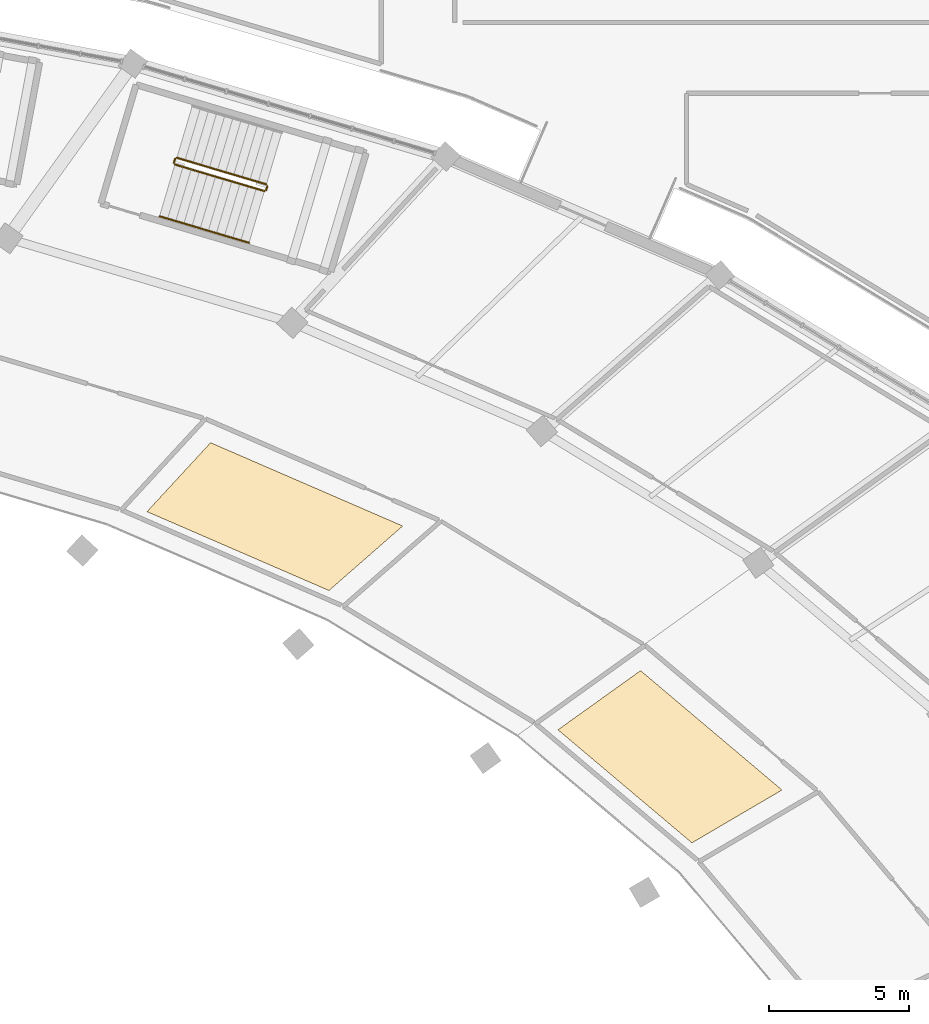
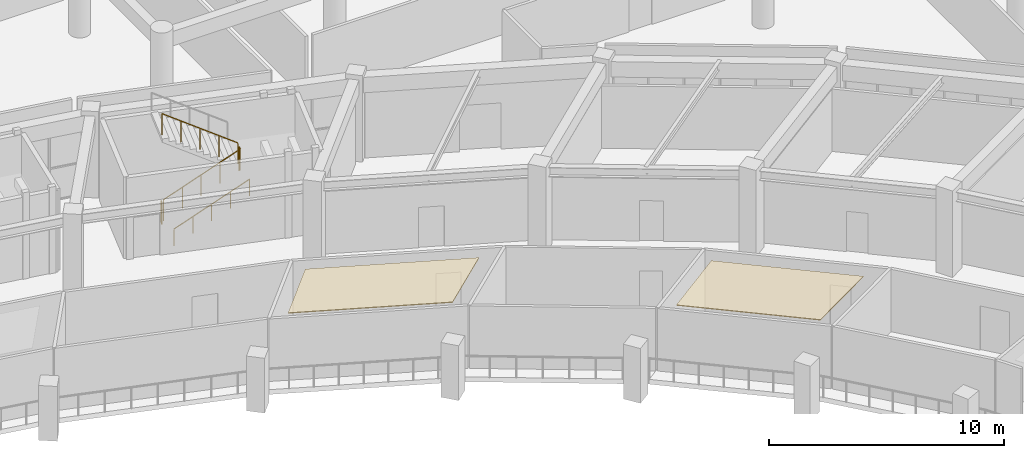
# One storey, part 139 of 141: 5 railings, 2 coverings.
"""IFC4 building model written with IfcOpenShell, lengths in metres."""

from ifc_helpers import new_model, si_unit, direction, frame, origin, origin_2d, place, context, subcontext, project, spatial, polyline, circle, outline, extrude, material, layer, layer_set, type_object, element, save


model = new_model("IFC4")

# Units and contexts
model_context = context("Model", 3, precision=1e-05, world=origin(), true_north=direction((0.0, 1.0)))
body_context = subcontext(model_context, "Body", "Model", "MODEL_VIEW")
ifc_project = project(units=[si_unit("LENGTHUNIT", "METRE"), si_unit("AREAUNIT", "SQUARE_METRE"), si_unit("VOLUMEUNIT", "CUBIC_METRE"), si_unit("PLANEANGLEUNIT", "RADIAN"), si_unit("MASSUNIT", "GRAM", prefix="KILO")], contexts=[model_context])

# Site, building, storey
site_placement = place(None, origin())
site = spatial("IfcSite", under=ifc_project, at=site_placement, CompositionType="ELEMENT")
building_placement = place(site_placement, origin())
building = spatial("IfcBuilding", under=site, at=building_placement, Name="Mphavela Belvedere Stadium", CompositionType="ELEMENT")
storey_placement = place(building_placement, frame((0.0, 0.0, 14.699951171875)))
storey = spatial("IfcBuildingStorey", under=building, at=storey_placement, Name="L03", CompositionType="ELEMENT", Elevation=14.699951171875)

# Coverings
ifc_material_1 = material(Name="Perforated acoustic mineral ceiling tile")
ifc_layer = layer(ifc_material_1, 0.0400390625)
ifc_layer_set = layer_set([ifc_layer], Name="Perforated acoustic mineral ceiling tile")
covering_type = type_object("IfcCoveringType", Name="COV-CEILING-ACOUSTIC", PredefinedType="CEILING", material=ifc_layer_set)
covering_1_placement = place(storey_placement, frame((0.0, 0.0, 3.199951171875)))
element("IfcCovering", 1, at=covering_1_placement, inside=storey, type_object=covering_type, Name="Concourse acoustic ceiling L03-06", PredefinedType="CEILING", context=body_context, shape_type="SweptSolid", body=[
    extrude(outline(polyline([(184.69921875, 128.660888671875), (179.931640625, 132.683837890625), (182.870849609375, 134.789794921875), (187.905029296875, 130.5419921875), (184.69921875, 128.660888671875)])), origin(), (0.0, 0.0, 1.0), 0.0400390625),
])
covering_2_placement = place(storey_placement, frame((0.0, 0.0, 3.199951171875)))
element("IfcCovering", 2, at=covering_2_placement, inside=storey, type_object=covering_type, Name="Concourse acoustic ceiling L03-08", PredefinedType="CEILING", context=body_context, shape_type="SweptSolid", body=[
    extrude(outline(polyline([(171.78125, 137.64111328125), (165.30419921875, 140.44921875), (167.56689453125, 142.9033203125), (174.406494140625, 139.938232421875), (171.78125, 137.64111328125)])), origin(), (0.0, 0.0, 1.0), 0.0400390625),
])

# Railings
ifc_material_2 = material(Name="Painted galvanised steel stair guardrail", Category="steel")
railing_type_1 = type_object("IfcRailingType", Name="RAL-GUARD-1120", PredefinedType="GUARDRAIL", material=ifc_material_2)
railing_1_placement = place(storey_placement, frame((166.296875, 152.803955078125, 0.1875)))
element("IfcRailing", 3, at=railing_1_placement, inside=storey, type_object=railing_type_1, Name="L03 ST-P01 stair guard 1", PredefinedType="GUARDRAIL", context=body_context, shape_type="SweptSolid", body=[
    extrude(circle(Radius=0.02392578125, at=origin_2d()), frame((0.0, 0.0, 1.09619140625), z_axis=(0.814477182491, -0.241689626173, 0.527459044667), x_axis=(0.284481150233, 0.958681633892, 0.0)), (0.0, 0.0, 1.0), 3.91015625),
    extrude(circle(Radius=0.02099609375, at=origin_2d()), origin(), (0.0, 0.0, 1.0), 1.072021484375),
    extrude(circle(Radius=0.02099609375, at=origin_2d()), frame((0.796142578125, -0.236328125, 0.515625)), (0.0, 0.0, 1.0), 1.072021484375),
    extrude(circle(Radius=0.02099609375, at=origin_2d()), frame((1.59228515625, -0.47265625, 1.03125)), (0.0, 0.0, 1.0), 1.072021484375),
    extrude(circle(Radius=0.02099609375, at=origin_2d()), frame((2.388671875, -0.708740234375, 1.546875)), (0.0, 0.0, 1.0), 1.072021484375),
    extrude(circle(Radius=0.02099609375, at=origin_2d()), frame((3.184814453125, -0.945068359375, 2.0625)), (0.0, 0.0, 1.0), 1.072021484375),
])
railing_2_placement = place(storey_placement, frame((169.543701171875, 151.892578125, 2.25)))
element("IfcRailing", 4, at=railing_2_placement, inside=storey, type_object=railing_type_1, Name="L03 ST-P01 stair guard 2", PredefinedType="GUARDRAIL", context=body_context, shape_type="SweptSolid", body=[
    extrude(circle(Radius=0.02392578125, at=origin_2d()), frame((0.0, 0.0, 1.09619140625), z_axis=(0.284808608521, 0.958584402394, 0.0), x_axis=(-0.958584402394, 0.284808608521, 0.0)), (0.0, 0.0, 1.0), 0.14990234375),
    extrude(circle(Radius=0.02099609375, at=origin_2d()), origin(), (0.0, 0.0, 1.0), 1.072021484375),
    extrude(circle(Radius=0.02099609375, at=origin_2d()), frame((0.042724609375, 0.143798828125, 0.0)), (0.0, 0.0, 1.0), 1.072021484375),
])
railing_3_placement = place(storey_placement, frame((169.552734375, 152.0986328125, 2.4375)))
element("IfcRailing", 5, at=railing_3_placement, inside=storey, type_object=railing_type_1, Name="L03 ST-P01 stair guard 3", PredefinedType="GUARDRAIL", context=body_context, shape_type="SweptSolid", body=[
    extrude(circle(Radius=0.02392578125, at=origin_2d()), frame((0.0, 0.0, 1.09619140625), z_axis=(-0.814456163261, 0.241701917202, 0.527485868386), x_axis=(-0.284501194376, -0.958675685724, 0.0)), (0.0, 0.0, 1.0), 3.91015625),
    extrude(circle(Radius=0.02099609375, at=origin_2d()), origin(), (0.0, 0.0, 1.0), 1.072021484375),
    extrude(circle(Radius=0.02099609375, at=origin_2d()), frame((-0.796142578125, 0.236328125, 0.515625)), (0.0, 0.0, 1.0), 1.072021484375),
    extrude(circle(Radius=0.02099609375, at=origin_2d()), frame((-1.59228515625, 0.47265625, 1.03125)), (0.0, 0.0, 1.0), 1.072021484375),
    extrude(circle(Radius=0.02099609375, at=origin_2d()), frame((-2.388427734375, 0.708740234375, 1.546875)), (0.0, 0.0, 1.0), 1.072021484375),
    extrude(circle(Radius=0.02099609375, at=origin_2d()), frame((-3.1845703125, 0.945068359375, 2.0625)), (0.0, 0.0, 1.0), 1.072021484375),
])
railing_4_placement = place(storey_placement, frame((166.26318359375, 152.8662109375, 0.0)))
element("IfcRailing", 6, at=railing_4_placement, inside=storey, type_object=railing_type_1, Name="L03 ST-P01 stair guard 4", PredefinedType="GUARDRAIL", context=body_context, shape_type="SweptSolid", body=[
    extrude(circle(Radius=0.02392578125, at=origin_2d()), frame((0.0, 0.0, 1.09619140625), z_axis=(0.284808608521, 0.958584402394, 0.0), x_axis=(-0.958584402394, 0.284808608521, 0.0)), (0.0, 0.0, 1.0), 0.14990234375),
    extrude(circle(Radius=0.02099609375, at=origin_2d()), origin(), (0.0, 0.0, 1.0), 1.072021484375),
    extrude(circle(Radius=0.02099609375, at=origin_2d()), frame((0.042724609375, 0.143798828125, 0.0)), (0.0, 0.0, 1.0), 1.072021484375),
])
ifc_material_3 = material(Name="Brushed stainless steel tubular handrail", Category="steel")
railing_type_2 = type_object("IfcRailingType", Name="RAL-HANDRAIL-900", PredefinedType="HANDRAIL", material=ifc_material_3)
railing_5_placement = place(storey_placement, frame((165.750732421875, 150.96337890625, 0.1875)))
element("IfcRailing", 7, at=railing_5_placement, inside=storey, type_object=railing_type_2, Name="L03 ST-P01 stair handrail 1", PredefinedType="HANDRAIL", context=body_context, shape_type="SweptSolid", body=[
    extrude(circle(Radius=0.02392578125, at=origin_2d()), frame((0.0, 0.0, 0.8759765625), z_axis=(0.814456163261, -0.241701917202, 0.527485868386), x_axis=(0.284501194376, 0.958675685724, 0.0)), (0.0, 0.0, 1.0), 3.91015625),
    extrude(circle(Radius=0.02099609375, at=origin_2d()), origin(), (0.0, 0.0, 1.0), 0.851806640625),
    extrude(circle(Radius=0.02099609375, at=origin_2d()), frame((0.796142578125, -0.236328125, 0.515625)), (0.0, 0.0, 1.0), 0.851806640625),
    extrude(circle(Radius=0.02099609375, at=origin_2d()), frame((1.59228515625, -0.47265625, 1.03125)), (0.0, 0.0, 1.0), 0.851806640625),
    extrude(circle(Radius=0.02099609375, at=origin_2d()), frame((2.388427734375, -0.708740234375, 1.546875)), (0.0, 0.0, 1.0), 0.851806640625),
    extrude(circle(Radius=0.02099609375, at=origin_2d()), frame((3.1845703125, -0.945068359375, 2.0625)), (0.0, 0.0, 1.0), 0.851806640625),
])

save(model, "model.ifc")
